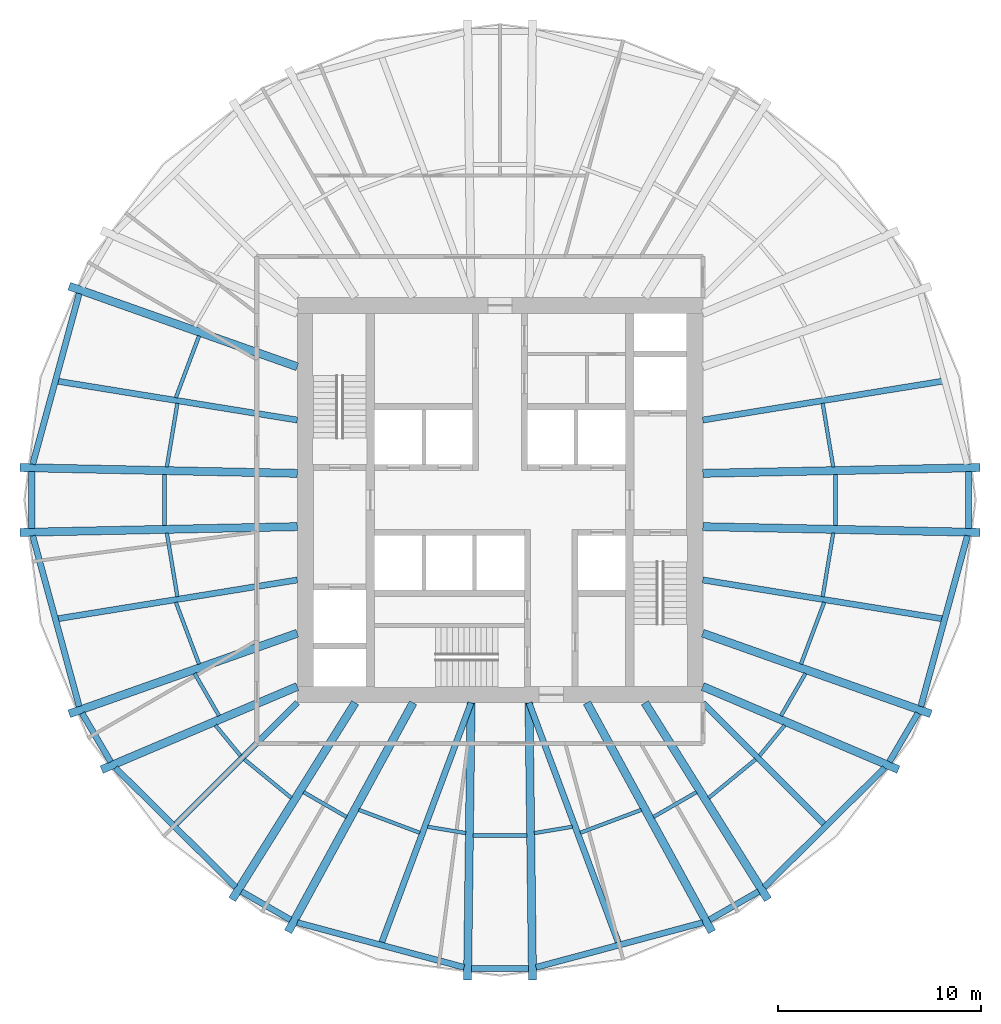
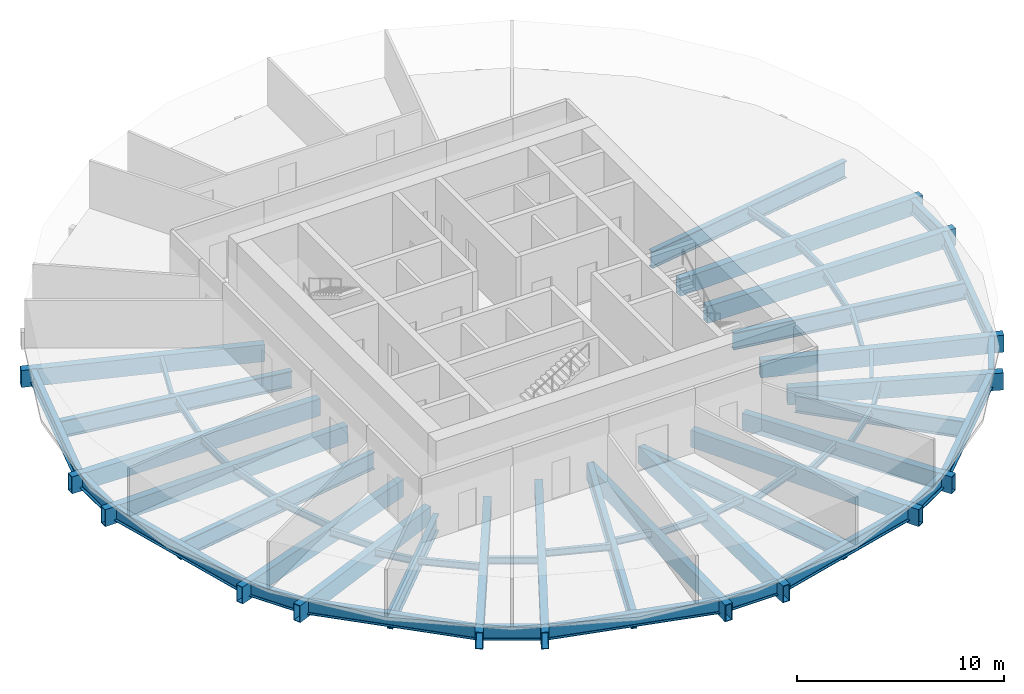
# One storey, part 1 of 6: 59 beams.
"""IFC4 building model written with IfcOpenShell, lengths in metres."""

import ifcopenshell
import ifcopenshell.guid

model = None  # the IFC model being written
_history = None  # IfcOwnerHistory: only IFC2X3 demands one
_inside = {}  # id of a spatial element -> (the spatial element, [elements in it])
_under = {}  # id of a project, library or spatial element -> (it, [spatial elements below it])
_declared = {}  # id of a project -> (the project, [libraries it declares])
_typed = {}  # id of a type object -> (the type object, [elements of that type])
_made_of = {}  # id of a material, layer set ... -> (it, [elements and type objects made of it])


def new_model(schema):
    """Start an empty IFC model of exactly this schema.

    Asked for "IFC4X3", IfcOpenShell would pick the latest addendum, in which some entities
    have other attributes; the version numbers below select the first issue.
    IFC2X3 requires an IfcOwnerHistory on every rooted entity: one is made here for all.
    """
    global model, _history
    if schema == "IFC4X3":
        model = ifcopenshell.file(schema_version=(4, 3, 0, 0))
    else:
        model = ifcopenshell.file(schema=schema)
    _inside.clear()
    _under.clear()
    _declared.clear()
    _typed.clear()
    _made_of.clear()
    _history = None
    if model.schema == "IFC2X3":
        org = make("IfcOrganization", Name="unknown")
        user = make(
            "IfcPersonAndOrganization",
            ThePerson=make("IfcPerson", FamilyName="unknown"),
            TheOrganization=org,
        )
        app = make(
            "IfcApplication",
            ApplicationDeveloper=org,
            Version="unknown",
            ApplicationFullName="unknown",
            ApplicationIdentifier="unknown",
        )
        _history = make(
            "IfcOwnerHistory",
            OwningUser=user,
            OwningApplication=app,
            ChangeAction="ADDED",
            CreationDate=0,
        )
    return model


def make(cls, **values):
    """One entity of the class cls with the attributes given. An attribute that is None is left unset."""
    return model.create_entity(
        cls, **{name: value for name, value in values.items() if value is not None}
    )


def rooted(cls, **values):
    """An entity with a GlobalId (a new one), such as an element, a storey or a relation."""
    return make(cls, GlobalId=ifcopenshell.guid.new(), OwnerHistory=_history, **values)


def si_unit(unit_type, name, prefix=None):
    """IfcSIUnit, for example si_unit("LENGTHUNIT", "METRE", prefix="MILLI")."""
    return make("IfcSIUnit", UnitType=unit_type, Prefix=prefix, Name=name)


def assignment(units):
    """IfcUnitAssignment: the units of a project."""
    return None if units is None else make("IfcUnitAssignment", Units=units)


def point(xyz):
    """IfcCartesianPoint."""
    return None if xyz is None else make("IfcCartesianPoint", Coordinates=xyz)


def direction(xyz):
    """IfcDirection."""
    return None if xyz is None else make("IfcDirection", DirectionRatios=xyz)


def frame(location, z_axis=None, x_axis=None):
    """IfcAxis2Placement3D, a coordinate frame: its origin and axes. An axis left out is left unset."""
    return make(
        "IfcAxis2Placement3D",
        Location=point(location),
        Axis=direction(z_axis),
        RefDirection=direction(x_axis),
    )


def frame_2d(location, x_axis=None):
    """IfcAxis2Placement2D, a coordinate frame in the plane: its origin and x axis."""
    return make(
        "IfcAxis2Placement2D", Location=point(location), RefDirection=direction(x_axis)
    )


def origin():
    """The frame at (0, 0, 0) with its axes left unset."""
    return frame((0.0, 0.0, 0.0))


def origin_2d():
    """The frame at (0, 0) in the plane with its x axis left unset."""
    return frame_2d((0.0, 0.0))


def place(relative_to, where):
    """IfcLocalPlacement: puts the frame where relative to a parent placement (None: the world)."""
    return make(
        "IfcLocalPlacement", PlacementRelTo=relative_to, RelativePlacement=where
    )


def context(
    kind, dimensions, precision=None, world=None, true_north=None, identifier=None
):
    """IfcGeometricRepresentationContext, for example the 3D "Model" context."""
    return make(
        "IfcGeometricRepresentationContext",
        ContextIdentifier=identifier,
        ContextType=kind,
        CoordinateSpaceDimension=dimensions,
        Precision=precision,
        WorldCoordinateSystem=world,
        TrueNorth=true_north,
    )


def subcontext(parent, identifier, kind, view, scale=None):
    """IfcGeometricRepresentationSubContext, for example "Body" below "Model"."""
    return make(
        "IfcGeometricRepresentationSubContext",
        ContextIdentifier=identifier,
        ContextType=kind,
        ParentContext=parent,
        TargetScale=scale,
        TargetView=view,
    )


def project(units=None, contexts=None):
    """IfcProject with its units and contexts."""
    return rooted(
        "IfcProject",
        Name="project",
        RepresentationContexts=contexts,
        UnitsInContext=assignment(units),
    )


def spatial(cls, under=None, at=None, **own):
    """A site, building, storey or space (cls), placed at a placement, below another one or the project."""
    s = rooted(cls, ObjectPlacement=at, **own)
    if under is not None:
        _under.setdefault(under.id(), (under, []))[1].append(s)
    return s


def profile(cls, at=None, kind="AREA", **sizes):
    """A parametric profile (cls). Its sizes go by their IFC names, for example OverallWidth=200.0."""
    return make(cls, ProfileType=kind, Position=at, **sizes)


def hollow_rectangle(**sizes):
    """IfcRectangleHollowProfileDef."""
    return profile("IfcRectangleHollowProfileDef", **sizes)


def i_section(**sizes):
    """IfcIShapeProfileDef."""
    return profile("IfcIShapeProfileDef", **sizes)


def extrude(swept, where, along, depth):
    """IfcExtrudedAreaSolid: the profile swept, set in the frame where, extruded along a direction by depth."""
    return make(
        "IfcExtrudedAreaSolid",
        SweptArea=swept,
        Position=where,
        ExtrudedDirection=direction(along),
        Depth=depth,
    )


def shape(context_of_items, identifier, shape_type, items):
    """IfcShapeRepresentation: the items that make up one representation, for example the "Body"."""
    return make(
        "IfcShapeRepresentation",
        ContextOfItems=context_of_items,
        RepresentationIdentifier=identifier,
        RepresentationType=shape_type,
        Items=items,
    )


def material(Name=None, Category=None):
    """IfcMaterial."""
    return make("IfcMaterial", Name=Name, Category=Category)


def material_profile(
    of_material, cross_section, Name=None, Category=None, Priority=None
):
    """IfcMaterialProfile: a cross section and its material."""
    return make(
        "IfcMaterialProfile",
        Name=Name,
        Material=of_material,
        Profile=cross_section,
        Priority=Priority,
        Category=Category,
    )


def profile_set(profiles, Name=None, composite=None):
    """IfcMaterialProfileSet."""
    return make(
        "IfcMaterialProfileSet",
        Name=Name,
        MaterialProfiles=profiles,
        CompositeProfile=composite,
    )


def made_of(thing, what):
    """Note that an element or type object is made of a material, layer set ...; save() writes the relation."""
    if what is not None:
        _made_of.setdefault(what.id(), (what, []))[1].append(thing)
    return thing


def type_object(cls, material=None, **own):
    """A type object (cls), such as IfcWallType, which elements share."""
    return made_of(rooted(cls, **own), material)


def element(
    cls,
    number,
    at=None,
    inside=None,
    cuts=None,
    type_object=None,
    material=None,
    context=None,
    identifier="Body",
    shape_type=None,
    held_by="IfcProductDefinitionShape",
    body=None,
    shapes=None,
    **own,
):
    """One element of the class cls, such as IfcWall. Its Tag is "e" and its number.

    at: its placement. inside: the storey or other place that contains it. cuts: it is an
    opening in that element (IfcRelVoidsElement). A single representation is given by context,
    identifier, shape_type and body (its items); several are given by shapes. held_by: the class
    of the entity that holds the representations. save() writes the other relations.
    """
    e = rooted(cls, Tag="e%d" % number, ObjectPlacement=at, **own)
    if body is not None:
        shapes = [shape(context, identifier, shape_type, body)]
    if shapes is not None:
        e.Representation = make(held_by, Representations=shapes)
    if inside is not None:
        _inside.setdefault(inside.id(), (inside, []))[1].append(e)
    if cuts is not None:
        rooted(
            "IfcRelVoidsElement", RelatingBuildingElement=cuts, RelatedOpeningElement=e
        )
    if type_object is not None:
        _typed.setdefault(type_object.id(), (type_object, []))[1].append(e)
    return made_of(e, material)


def aggregate(whole, parts):
    """IfcRelAggregates: a whole, such as a stair, and the parts it consists of."""
    return rooted("IfcRelAggregates", RelatingObject=whole, RelatedObjects=parts)


def save(model, path):
    """Write the relations noted so far, then the file.

    IfcRelAggregates (storeys below a building ...), IfcRelContainedInSpatialStructure (elements
    in a storey), IfcRelDefinesByType, IfcRelAssociatesMaterial and IfcRelDeclares: one each for
    every whole, place, type object, material and project.
    """
    for whole, parts in _under.values():
        aggregate(whole, parts)
    for where, things in _inside.values():
        rooted(
            "IfcRelContainedInSpatialStructure",
            RelatedElements=things,
            RelatingStructure=where,
        )
    for kind, things in _typed.values():
        rooted("IfcRelDefinesByType", RelatedObjects=things, RelatingType=kind)
    for what, things in _made_of.values():
        rooted("IfcRelAssociatesMaterial", RelatedObjects=things, RelatingMaterial=what)
    for by, libraries in _declared.values():
        rooted("IfcRelDeclares", RelatingContext=by, RelatedDefinitions=libraries)
    model.write(path)


model = new_model("IFC4")

# Units and contexts
model_context = context("Model", 3, precision=1e-05, world=origin(), true_north=direction((0.0, 1.0)))
body_context = subcontext(model_context, "Body", "Model", "MODEL_VIEW")
ifc_project = project(units=[si_unit("LENGTHUNIT", "METRE"), si_unit("AREAUNIT", "SQUARE_METRE"), si_unit("VOLUMEUNIT", "CUBIC_METRE"), si_unit("PLANEANGLEUNIT", "RADIAN"), si_unit("MASSUNIT", "GRAM", prefix="KILO")], contexts=[model_context])

# Site, building, storey
site_placement = place(None, origin())
site = spatial("IfcSite", under=ifc_project, at=site_placement, CompositionType="ELEMENT")
building_placement = place(site_placement, origin())
building = spatial("IfcBuilding", under=site, at=building_placement, Name="Golbaran Civic Tower", CompositionType="ELEMENT")
storey_placement = place(building_placement, frame((0.0, 0.0, 57.0)))
storey = spatial("IfcBuildingStorey", under=building, at=storey_placement, Name="L13", CompositionType="ELEMENT", Elevation=57.0)

# Beams
ifc_material = material(Name="Steel S355", Category="steel")
ifc_material_profile_1 = material_profile(ifc_material, i_section(OverallWidth=0.300048828125, OverallDepth=0.800048828125, WebThickness=0.017578125, FlangeThickness=0.032958984375, FilletRadius=0.030029296875, at=origin_2d()), Name="HEB 800")
ifc_profile_set_1 = profile_set([ifc_material_profile_1], Name="Steel S355")
beam_type_1 = type_object("IfcBeamType", Name="EDGE BEAM HEB 800", PredefinedType="BEAM", material=ifc_profile_set_1)
beam_1_placement = place(storey_placement, frame((-20.755615234375, 10.181884765625, -0.60009765625), z_axis=(-0.262977706755, -0.964801910109, 0.0), x_axis=(0.964801910109, -0.262977706755, 0.0)))
element("IfcBeam", 1, at=beam_1_placement, inside=storey, type_object=beam_type_1, Name="Edge beam 153.79 L13", PredefinedType="BEAM", context=body_context, shape_type="SweptSolid", body=[
    extrude(i_section(OverallWidth=0.300048828125, OverallDepth=0.800048828125, WebThickness=0.017578125, FlangeThickness=0.032958984375, FilletRadius=0.030029296875, at=origin_2d()), origin(), (0.0, 0.0, 1.0), 8.724853515625),
])
beam_2_placement = place(storey_placement, frame((-23.098876953125, 1.4052734375, -0.60009765625), z_axis=(0.0, -1.0, 0.0), x_axis=(1.0, 0.0, 0.0)))
element("IfcBeam", 2, at=beam_2_placement, inside=storey, type_object=beam_type_1, Name="Edge beam 176.21 L13", PredefinedType="BEAM", context=body_context, shape_type="SweptSolid", body=[
    extrude(i_section(OverallWidth=0.300048828125, OverallDepth=0.800048828125, WebThickness=0.017578125, FlangeThickness=0.032958984375, FilletRadius=0.030029296875, at=origin_2d()), origin(), (0.0, 0.0, 1.0), 2.810546875),
])
beam_3_placement = place(storey_placement, frame((-23.050048828125, -1.76416015625, -0.60009765625), z_axis=(0.262977706755, -0.964801910109, 0.0), x_axis=(0.964801910109, 0.262977706755, 0.0)))
element("IfcBeam", 3, at=beam_3_placement, inside=storey, type_object=beam_type_1, Name="Edge beam 183.79 L13", PredefinedType="BEAM", context=body_context, shape_type="SweptSolid", body=[
    extrude(i_section(OverallWidth=0.300048828125, OverallDepth=0.800048828125, WebThickness=0.017578125, FlangeThickness=0.032958984375, FilletRadius=0.030029296875, at=origin_2d()), origin(), (0.0, 0.0, 1.0), 8.724853515625),
])
beam_4_placement = place(storey_placement, frame((-20.614990234375, -10.51416015625, -0.60009765625), z_axis=(0.507031629301, -0.861927448738, 0.0), x_axis=(0.861927448738, 0.507031629301, 0.0)))
element("IfcBeam", 4, at=beam_4_placement, inside=storey, type_object=beam_type_1, Name="Edge beam 206.21 L13", PredefinedType="BEAM", context=body_context, shape_type="SweptSolid", body=[
    extrude(i_section(OverallWidth=0.300048828125, OverallDepth=0.800048828125, WebThickness=0.017578125, FlangeThickness=0.032958984375, FilletRadius=0.030029296875, at=origin_2d()), origin(), (0.0, 0.0, 1.0), 2.78271484375),
])
beam_5_placement = place(storey_placement, frame((-18.973876953125, -13.2060546875, -0.60009765625), z_axis=(0.710079737992, -0.704121272007, 0.0), x_axis=(0.704121272007, 0.710079737992, 0.0)))
element("IfcBeam", 5, at=beam_5_placement, inside=storey, type_object=beam_type_1, Name="Edge beam 213.79 L13", PredefinedType="BEAM", context=body_context, shape_type="SweptSolid", body=[
    extrude(i_section(OverallWidth=0.300048828125, OverallDepth=0.800048828125, WebThickness=0.017578125, FlangeThickness=0.032958984375, FilletRadius=0.030029296875, at=origin_2d()), origin(), (0.0, 0.0, 1.0), 8.358642578125),
])
beam_6_placement = place(storey_placement, frame((-12.751708984375, -19.3115234375, -0.60009765625), z_axis=(0.866210360515, -0.499679508622, 0.0), x_axis=(0.499679508622, 0.866210360515, 0.0)))
element("IfcBeam", 6, at=beam_6_placement, inside=storey, type_object=beam_type_1, Name="Edge beam 236.21 L13", PredefinedType="BEAM", context=body_context, shape_type="SweptSolid", body=[
    extrude(i_section(OverallWidth=0.300048828125, OverallDepth=0.800048828125, WebThickness=0.017578125, FlangeThickness=0.032958984375, FilletRadius=0.030029296875, at=origin_2d()), origin(), (0.0, 0.0, 1.0), 2.788818359375),
])
beam_7_placement = place(storey_placement, frame((-10.001220703125, -20.84326171875, -0.60009765625), z_axis=(0.965854734036, -0.259084219395, 0.0), x_axis=(0.259084219395, 0.965854734036, 0.0)))
element("IfcBeam", 7, at=beam_7_placement, inside=storey, type_object=beam_type_1, Name="Edge beam 243.79 L13", PredefinedType="BEAM", context=body_context, shape_type="SweptSolid", body=[
    extrude(i_section(OverallWidth=0.300048828125, OverallDepth=0.800048828125, WebThickness=0.017578125, FlangeThickness=0.032958984375, FilletRadius=0.030029296875, at=origin_2d()), origin(), (0.0, 0.0, 1.0), 8.517578125),
])
beam_8_placement = place(storey_placement, frame((-1.4150390625, -23.09814453125, -0.60009765625), z_axis=(1.0, 0.0, 0.0), x_axis=(0.0, 1.0, 0.0)))
element("IfcBeam", 8, at=beam_8_placement, inside=storey, type_object=beam_type_1, Name="Edge beam 266.21 L13", PredefinedType="BEAM", context=body_context, shape_type="SweptSolid", body=[
    extrude(i_section(OverallWidth=0.300048828125, OverallDepth=0.800048828125, WebThickness=0.017578125, FlangeThickness=0.032958984375, FilletRadius=0.030029296875, at=origin_2d()), origin(), (0.0, 0.0, 1.0), 2.830078125),
])
beam_9_placement = place(storey_placement, frame((1.7744140625, -23.050048828125, -0.60009765625), z_axis=(0.965854734036, 0.259084219395, 0.0), x_axis=(-0.259084219395, 0.965854734036, 0.0)))
element("IfcBeam", 9, at=beam_9_placement, inside=storey, type_object=beam_type_1, Name="Edge beam 273.79 L13", PredefinedType="BEAM", context=body_context, shape_type="SweptSolid", body=[
    extrude(i_section(OverallWidth=0.300048828125, OverallDepth=0.800048828125, WebThickness=0.017578125, FlangeThickness=0.032958984375, FilletRadius=0.030029296875, at=origin_2d()), origin(), (0.0, 0.0, 1.0), 8.517578125),
])
beam_10_placement = place(storey_placement, frame((10.3359375, -20.705078125, -0.60009765625), z_axis=(0.866210360515, 0.499679508622, 0.0), x_axis=(-0.499679508622, 0.866210360515, 0.0)))
element("IfcBeam", 10, at=beam_10_placement, inside=storey, type_object=beam_type_1, Name="Edge beam 296.21 L13", PredefinedType="BEAM", context=body_context, shape_type="SweptSolid", body=[
    extrude(i_section(OverallWidth=0.300048828125, OverallDepth=0.800048828125, WebThickness=0.017578125, FlangeThickness=0.032958984375, FilletRadius=0.030029296875, at=origin_2d()), origin(), (0.0, 0.0, 1.0), 2.788818359375),
])
beam_11_placement = place(storey_placement, frame((13.03857421875, -19.091552734375, -0.60009765625), z_axis=(0.710079737992, 0.704121272007, 0.0), x_axis=(-0.704121272007, 0.710079737992, 0.0)))
element("IfcBeam", 11, at=beam_11_placement, inside=storey, type_object=beam_type_1, Name="Edge beam 303.79 L13", PredefinedType="BEAM", context=body_context, shape_type="SweptSolid", body=[
    extrude(i_section(OverallWidth=0.300048828125, OverallDepth=0.800048828125, WebThickness=0.017578125, FlangeThickness=0.032958984375, FilletRadius=0.030029296875, at=origin_2d()), origin(), (0.0, 0.0, 1.0), 8.358642578125),
])
beam_12_placement = place(storey_placement, frame((19.2041015625, -12.91259765625, -0.60009765625), z_axis=(0.507031629301, 0.861927448738, 0.0), x_axis=(-0.861927448738, 0.507031629301, 0.0)))
element("IfcBeam", 12, at=beam_12_placement, inside=storey, type_object=beam_type_1, Name="Edge beam 326.21 L13", PredefinedType="BEAM", context=body_context, shape_type="SweptSolid", body=[
    extrude(i_section(OverallWidth=0.300048828125, OverallDepth=0.800048828125, WebThickness=0.017578125, FlangeThickness=0.032958984375, FilletRadius=0.030029296875, at=origin_2d()), origin(), (0.0, 0.0, 1.0), 2.78271484375),
])
beam_13_placement = place(storey_placement, frame((20.755615234375, -10.181884765625, -0.60009765625), z_axis=(0.262977706755, 0.964801910109, 0.0), x_axis=(-0.964801910109, 0.262977706755, 0.0)))
element("IfcBeam", 13, at=beam_13_placement, inside=storey, type_object=beam_type_1, Name="Edge beam 333.79 L13", PredefinedType="BEAM", context=body_context, shape_type="SweptSolid", body=[
    extrude(i_section(OverallWidth=0.300048828125, OverallDepth=0.800048828125, WebThickness=0.017578125, FlangeThickness=0.032958984375, FilletRadius=0.030029296875, at=origin_2d()), origin(), (0.0, 0.0, 1.0), 8.724853515625),
])
beam_14_placement = place(storey_placement, frame((23.098876953125, -1.4052734375, -0.60009765625), z_axis=(0.0, 1.0, 0.0), x_axis=(-1.0, 0.0, 0.0)))
element("IfcBeam", 14, at=beam_14_placement, inside=storey, type_object=beam_type_1, Name="Edge beam 356.21 L13", PredefinedType="BEAM", context=body_context, shape_type="SweptSolid", body=[
    extrude(i_section(OverallWidth=0.300048828125, OverallDepth=0.800048828125, WebThickness=0.017578125, FlangeThickness=0.032958984375, FilletRadius=0.030029296875, at=origin_2d()), origin(), (0.0, 0.0, 1.0), 2.810546875),
])
ifc_material_profile_2 = material_profile(ifc_material, i_section(OverallWidth=0.179931640625, OverallDepth=0.39990234375, WebThickness=0.008544921875, FlangeThickness=0.013427734375, FilletRadius=0.02099609375, at=origin_2d()), Name="IPE 400")
ifc_profile_set_2 = profile_set([ifc_material_profile_2], Name="Steel S355")
beam_type_2 = type_object("IfcBeamType", Name="FLOOR INFILL BEAM IPE 400", PredefinedType="BEAM", material=ifc_profile_set_2)
beam_15_placement = place(storey_placement, frame((16.43359375, 1.62744140625, -0.39990234375), z_axis=(-0.163205483992, 0.986592099094, 0.0), x_axis=(-0.986592099094, -0.163205483992, 0.0)))
element("IfcBeam", 15, at=beam_15_placement, inside=storey, type_object=beam_type_2, Name="Infill beam 9.39 L13", PredefinedType="BEAM", context=body_context, shape_type="SweptSolid", body=[
    extrude(i_section(OverallWidth=0.179931640625, OverallDepth=0.39990234375, WebThickness=0.008544921875, FlangeThickness=0.013427734375, FilletRadius=0.02099609375, at=origin_2d()), origin(), (0.0, 0.0, 1.0), 3.184814453125),
])
beam_16_placement = place(storey_placement, frame((-14.844482421875, 8.0927734375, -0.39990234375), z_axis=(-0.351903983924, -0.936036102989, 0.0), x_axis=(0.936036102989, -0.351903983924, 0.0)))
element("IfcBeam", 16, at=beam_16_placement, inside=storey, type_object=beam_type_2, Name="Infill beam 159.39 L13", PredefinedType="BEAM", context=body_context, shape_type="SweptSolid", body=[
    extrude(i_section(OverallWidth=0.179931640625, OverallDepth=0.39990234375, WebThickness=0.008544921875, FlangeThickness=0.013427734375, FilletRadius=0.02099609375, at=origin_2d()), origin(), (0.0, 0.0, 1.0), 3.255859375),
])
beam_17_placement = place(storey_placement, frame((-15.913818359375, 4.76953125, -0.39990234375), z_axis=(-0.163205483992, -0.986592099094, 0.0), x_axis=(0.986592099094, -0.163205483992, 0.0)))
element("IfcBeam", 17, at=beam_17_placement, inside=storey, type_object=beam_type_2, Name="Infill beam 170.61 L13", PredefinedType="BEAM", context=body_context, shape_type="SweptSolid", body=[
    extrude(i_section(OverallWidth=0.179931640625, OverallDepth=0.39990234375, WebThickness=0.008544921875, FlangeThickness=0.013427734375, FilletRadius=0.02099609375, at=origin_2d()), origin(), (0.0, 0.0, 1.0), 3.184814453125),
])
beam_18_placement = place(storey_placement, frame((-16.549560546875, 1.269775390625, -0.39990234375), z_axis=(0.0, -1.0, 0.0), x_axis=(1.0, 0.0, 0.0)))
element("IfcBeam", 18, at=beam_18_placement, inside=storey, type_object=beam_type_2, Name="Infill beam 180.00 L13", PredefinedType="BEAM", context=body_context, shape_type="SweptSolid", body=[
    extrude(i_section(OverallWidth=0.179931640625, OverallDepth=0.39990234375, WebThickness=0.008544921875, FlangeThickness=0.013427734375, FilletRadius=0.02099609375, at=origin_2d()), origin(), (0.0, 0.0, 1.0), 2.53955078125),
])
beam_19_placement = place(storey_placement, frame((-16.43359375, -1.62744140625, -0.39990234375), z_axis=(0.163205483992, -0.986592099094, 0.0), x_axis=(0.986592099094, 0.163205483992, 0.0)))
element("IfcBeam", 19, at=beam_19_placement, inside=storey, type_object=beam_type_2, Name="Infill beam 189.39 L13", PredefinedType="BEAM", context=body_context, shape_type="SweptSolid", body=[
    extrude(i_section(OverallWidth=0.179931640625, OverallDepth=0.39990234375, WebThickness=0.008544921875, FlangeThickness=0.013427734375, FilletRadius=0.02099609375, at=origin_2d()), origin(), (0.0, 0.0, 1.0), 3.184814453125),
])
beam_20_placement = place(storey_placement, frame((-15.990234375, -5.045166015625, -0.39990234375), z_axis=(0.351903983924, -0.936036102989, 0.0), x_axis=(0.936036102989, 0.351903983924, 0.0)))
element("IfcBeam", 20, at=beam_20_placement, inside=storey, type_object=beam_type_2, Name="Infill beam 200.61 L13", PredefinedType="BEAM", context=body_context, shape_type="SweptSolid", body=[
    extrude(i_section(OverallWidth=0.179931640625, OverallDepth=0.39990234375, WebThickness=0.008544921875, FlangeThickness=0.013427734375, FilletRadius=0.02099609375, at=origin_2d()), origin(), (0.0, 0.0, 1.0), 3.255859375),
])
beam_21_placement = place(storey_placement, frame((-15.065673828125, -8.552734375, -0.39990234375), z_axis=(0.499979289244, -0.866037360815, 0.0), x_axis=(0.866037360815, 0.499979289244, 0.0)))
element("IfcBeam", 21, at=beam_21_placement, inside=storey, type_object=beam_type_2, Name="Infill beam 210.00 L13", PredefinedType="BEAM", context=body_context, shape_type="SweptSolid", body=[
    extrude(i_section(OverallWidth=0.179931640625, OverallDepth=0.39990234375, WebThickness=0.008544921875, FlangeThickness=0.013427734375, FilletRadius=0.02099609375, at=origin_2d()), origin(), (0.0, 0.0, 1.0), 2.41357421875),
])
beam_22_placement = place(storey_placement, frame((-14.03662109375, -11.109619140625, -0.39990234375), z_axis=(0.634710038932, -0.772750390798, 0.0), x_axis=(0.772750390798, 0.634710038932, 0.0)))
element("IfcBeam", 22, at=beam_22_placement, inside=storey, type_object=beam_type_2, Name="Infill beam 219.39 L13", PredefinedType="BEAM", context=body_context, shape_type="SweptSolid", body=[
    extrude(i_section(OverallWidth=0.179931640625, OverallDepth=0.39990234375, WebThickness=0.008544921875, FlangeThickness=0.013427734375, FilletRadius=0.02099609375, at=origin_2d()), origin(), (0.0, 0.0, 1.0), 1.948974609375),
])
beam_23_placement = place(storey_placement, frame((-12.609130859375, -12.79296875, -0.39990234375), z_axis=(0.772824623288, -0.634619651161, 0.0), x_axis=(0.634619651161, 0.772824623288, 0.0)))
element("IfcBeam", 23, at=beam_23_placement, inside=storey, type_object=beam_type_2, Name="Infill beam 230.61 L13", PredefinedType="BEAM", context=body_context, shape_type="SweptSolid", body=[
    extrude(i_section(OverallWidth=0.179931640625, OverallDepth=0.39990234375, WebThickness=0.008544921875, FlangeThickness=0.013427734375, FilletRadius=0.02099609375, at=origin_2d()), origin(), (0.0, 0.0, 1.0), 2.99951171875),
])
beam_24_placement = place(storey_placement, frame((-9.6875, -14.41015625, -0.39990234375), z_axis=(0.866037799547, -0.499978529295, 0.0), x_axis=(0.499978529295, 0.866037799547, 0.0)))
element("IfcBeam", 24, at=beam_24_placement, inside=storey, type_object=beam_type_2, Name="Infill beam 240.00 L13", PredefinedType="BEAM", context=body_context, shape_type="SweptSolid", body=[
    extrude(i_section(OverallWidth=0.179931640625, OverallDepth=0.39990234375, WebThickness=0.008544921875, FlangeThickness=0.013427734375, FilletRadius=0.02099609375, at=origin_2d()), origin(), (0.0, 0.0, 1.0), 2.4482421875),
])
beam_25_placement = place(storey_placement, frame((-6.965576171875, -15.28369140625, -0.39990234375), z_axis=(0.936029093935, -0.351922626876, 0.0), x_axis=(0.351922626876, 0.936029093935, 0.0)))
element("IfcBeam", 25, at=beam_25_placement, inside=storey, type_object=beam_type_2, Name="Infill beam 249.39 L13", PredefinedType="BEAM", context=body_context, shape_type="SweptSolid", body=[
    extrude(i_section(OverallWidth=0.179931640625, OverallDepth=0.39990234375, WebThickness=0.008544921875, FlangeThickness=0.013427734375, FilletRadius=0.02099609375, at=origin_2d()), origin(), (0.0, 0.0, 1.0), 3.21337890625),
])
beam_26_placement = place(storey_placement, frame((-3.569580078125, -16.11767578125, -0.39990234375), z_axis=(0.986580330605, -0.163276609664, 0.0), x_axis=(0.163276609664, 0.986580330605, 0.0)))
element("IfcBeam", 26, at=beam_26_placement, inside=storey, type_object=beam_type_2, Name="Infill beam 260.61 L13", PredefinedType="BEAM", context=body_context, shape_type="SweptSolid", body=[
    extrude(i_section(OverallWidth=0.179931640625, OverallDepth=0.39990234375, WebThickness=0.008544921875, FlangeThickness=0.013427734375, FilletRadius=0.02099609375, at=origin_2d()), origin(), (0.0, 0.0, 1.0), 1.905029296875),
])
beam_27_placement = place(storey_placement, frame((-1.331787109375, -16.549072265625, -0.39990234375), z_axis=(1.0, 0.0, 0.0), x_axis=(0.0, 1.0, 0.0)))
element("IfcBeam", 27, at=beam_27_placement, inside=storey, type_object=beam_type_2, Name="Infill beam 270.00 L13", PredefinedType="BEAM", context=body_context, shape_type="SweptSolid", body=[
    extrude(i_section(OverallWidth=0.179931640625, OverallDepth=0.39990234375, WebThickness=0.008544921875, FlangeThickness=0.013427734375, FilletRadius=0.02099609375, at=origin_2d()), origin(), (0.0, 0.0, 1.0), 2.66357421875),
])
beam_28_placement = place(storey_placement, frame((1.690185546875, -16.4287109375, -0.39990234375), z_axis=(0.986580330605, 0.163276609664, 0.0), x_axis=(-0.163276609664, 0.986580330605, 0.0)))
element("IfcBeam", 28, at=beam_28_placement, inside=storey, type_object=beam_type_2, Name="Infill beam 279.39 L13", PredefinedType="BEAM", context=body_context, shape_type="SweptSolid", body=[
    extrude(i_section(OverallWidth=0.179931640625, OverallDepth=0.39990234375, WebThickness=0.008544921875, FlangeThickness=0.013427734375, FilletRadius=0.02099609375, at=origin_2d()), origin(), (0.0, 0.0, 1.0), 1.905029296875),
])
beam_29_placement = place(storey_placement, frame((3.957763671875, -16.41455078125, -0.39990234375), z_axis=(0.936029093935, 0.351922626876, 0.0), x_axis=(-0.351922626876, 0.936029093935, 0.0)))
element("IfcBeam", 29, at=beam_29_placement, inside=storey, type_object=beam_type_2, Name="Infill beam 290.61 L13", PredefinedType="BEAM", context=body_context, shape_type="SweptSolid", body=[
    extrude(i_section(OverallWidth=0.179931640625, OverallDepth=0.39990234375, WebThickness=0.008544921875, FlangeThickness=0.013427734375, FilletRadius=0.02099609375, at=origin_2d()), origin(), (0.0, 0.0, 1.0), 3.21337890625),
])
beam_30_placement = place(storey_placement, frame((7.567138671875, -15.63427734375, -0.39990234375), z_axis=(0.866037799547, 0.499978529295, 0.0), x_axis=(-0.499978529295, 0.866037799547, 0.0)))
element("IfcBeam", 30, at=beam_30_placement, inside=storey, type_object=beam_type_2, Name="Infill beam 300.00 L13", PredefinedType="BEAM", context=body_context, shape_type="SweptSolid", body=[
    extrude(i_section(OverallWidth=0.179931640625, OverallDepth=0.39990234375, WebThickness=0.008544921875, FlangeThickness=0.013427734375, FilletRadius=0.02099609375, at=origin_2d()), origin(), (0.0, 0.0, 1.0), 2.4482421875),
])
beam_31_placement = place(storey_placement, frame((10.291015625, -14.696533203125, -0.39990234375), z_axis=(0.772824623288, 0.634619651161, 0.0), x_axis=(-0.634619651161, 0.772824623288, 0.0)))
element("IfcBeam", 31, at=beam_31_placement, inside=storey, type_object=beam_type_2, Name="Infill beam 309.39 L13", PredefinedType="BEAM", context=body_context, shape_type="SweptSolid", body=[
    extrude(i_section(OverallWidth=0.179931640625, OverallDepth=0.39990234375, WebThickness=0.008544921875, FlangeThickness=0.013427734375, FilletRadius=0.02099609375, at=origin_2d()), origin(), (0.0, 0.0, 1.0), 2.99951171875),
])
beam_32_placement = place(storey_placement, frame((12.799560546875, -12.61572265625, -0.39990234375), z_axis=(0.634710038932, 0.772750390798, 0.0), x_axis=(-0.772750390798, 0.634710038932, 0.0)))
element("IfcBeam", 32, at=beam_32_placement, inside=storey, type_object=beam_type_2, Name="Infill beam 320.61 L13", PredefinedType="BEAM", context=body_context, shape_type="SweptSolid", body=[
    extrude(i_section(OverallWidth=0.179931640625, OverallDepth=0.39990234375, WebThickness=0.008544921875, FlangeThickness=0.013427734375, FilletRadius=0.02099609375, at=origin_2d()), origin(), (0.0, 0.0, 1.0), 1.948974609375),
])
beam_33_placement = place(storey_placement, frame((13.85888671875, -10.64306640625, -0.39990234375), z_axis=(0.499979289244, 0.866037360815, 0.0), x_axis=(-0.866037360815, 0.499979289244, 0.0)))
element("IfcBeam", 33, at=beam_33_placement, inside=storey, type_object=beam_type_2, Name="Infill beam 330.00 L13", PredefinedType="BEAM", context=body_context, shape_type="SweptSolid", body=[
    extrude(i_section(OverallWidth=0.179931640625, OverallDepth=0.39990234375, WebThickness=0.008544921875, FlangeThickness=0.013427734375, FilletRadius=0.02099609375, at=origin_2d()), origin(), (0.0, 0.0, 1.0), 2.41357421875),
])
beam_34_placement = place(storey_placement, frame((14.844482421875, -8.0927734375, -0.39990234375), z_axis=(0.351903983924, 0.936036102989, 0.0), x_axis=(-0.936036102989, 0.351903983924, 0.0)))
element("IfcBeam", 34, at=beam_34_placement, inside=storey, type_object=beam_type_2, Name="Infill beam 339.39 L13", PredefinedType="BEAM", context=body_context, shape_type="SweptSolid", body=[
    extrude(i_section(OverallWidth=0.179931640625, OverallDepth=0.39990234375, WebThickness=0.008544921875, FlangeThickness=0.013427734375, FilletRadius=0.02099609375, at=origin_2d()), origin(), (0.0, 0.0, 1.0), 3.255859375),
])
beam_35_placement = place(storey_placement, frame((15.913818359375, -4.76953125, -0.39990234375), z_axis=(0.163205483992, 0.986592099094, 0.0), x_axis=(-0.986592099094, 0.163205483992, 0.0)))
element("IfcBeam", 35, at=beam_35_placement, inside=storey, type_object=beam_type_2, Name="Infill beam 350.61 L13", PredefinedType="BEAM", context=body_context, shape_type="SweptSolid", body=[
    extrude(i_section(OverallWidth=0.179931640625, OverallDepth=0.39990234375, WebThickness=0.008544921875, FlangeThickness=0.013427734375, FilletRadius=0.02099609375, at=origin_2d()), origin(), (0.0, 0.0, 1.0), 3.184814453125),
])
beam_36_placement = place(storey_placement, frame((16.549560546875, -1.269775390625, -0.39990234375), z_axis=(0.0, 1.0, 0.0), x_axis=(-1.0, 0.0, 0.0)))
element("IfcBeam", 36, at=beam_36_placement, inside=storey, type_object=beam_type_2, Name="Infill beam 0.00 L13", PredefinedType="BEAM", context=body_context, shape_type="SweptSolid", body=[
    extrude(i_section(OverallWidth=0.179931640625, OverallDepth=0.39990234375, WebThickness=0.008544921875, FlangeThickness=0.013427734375, FilletRadius=0.02099609375, at=origin_2d()), origin(), (0.0, 0.0, 1.0), 2.53955078125),
])
ifc_material_profile_3 = material_profile(ifc_material, hollow_rectangle(XDim=0.39990234375, YDim=1.0, WallThickness=0.0400390625, at=origin_2d()), Name="BOX 1000x400x40")
ifc_profile_set_3 = profile_set([ifc_material_profile_3], Name="Steel S355")
beam_type_3 = type_object("IfcBeamType", Name="RADIAL FLOOR BEAM BOX 1000x400x40", PredefinedType="BEAM", material=ifc_profile_set_3)
beam_37_placement = place(storey_placement, frame((10.0, 1.314208984375, -0.7099609375), z_axis=(0.999785912989, 0.020691258761, 0.0), x_axis=(-0.020691258761, 0.999785912989, 0.0)))
element("IfcBeam", 37, at=beam_37_placement, inside=storey, type_object=beam_type_3, Name="Radial beam 3.79 L13", PredefinedType="BEAM", context=body_context, shape_type="SweptSolid", body=[
    extrude(hollow_rectangle(XDim=0.39990234375, YDim=1.0, WallThickness=0.0400390625, at=origin_2d()), origin(), (0.0, 0.0, 1.0), 13.67529296875),
])
beam_38_placement = place(storey_placement, frame((-10.0, 6.571533203125, -0.7099609375), z_axis=(-0.942842566298, 0.333238495941, 0.0), x_axis=(-0.333238495941, -0.942842566298, 0.0)))
element("IfcBeam", 38, at=beam_38_placement, inside=storey, type_object=beam_type_3, Name="Radial beam 153.79 L13", PredefinedType="BEAM", context=body_context, shape_type="SweptSolid", body=[
    extrude(hollow_rectangle(XDim=0.39990234375, YDim=1.0, WallThickness=0.0400390625, at=origin_2d()), origin(), (0.0, 0.0, 1.0), 11.933837890625),
])
for number, where, z_axis, x_axis, name in (
    (39, (-10.0, 1.314208984375, -0.7099609375), (-0.999785912989, 0.020691258761, 0.0), (-0.020691258761, -0.999785912989, 0.0), "Radial beam 176.21 L13"),
    (40, (-10.0, -1.314208984375, -0.7099609375), (-0.999785912989, -0.020691258761, 0.0), (0.020691258761, -0.999785912989, 0.0), "Radial beam 183.79 L13"),
):
    element("IfcBeam", number, at=place(storey_placement, frame(where, z_axis=z_axis, x_axis=x_axis)), inside=storey, type_object=beam_type_3, Name=name, PredefinedType="BEAM", context=body_context, shape_type="SweptSolid", body=[
        extrude(hollow_rectangle(XDim=0.39990234375, YDim=1.0, WallThickness=0.0400390625, at=origin_2d()), origin(), (0.0, 0.0, 1.0), 13.67529296875),
    ])
beam_39_placement = place(storey_placement, frame((-10.0, -6.571533203125, -0.7099609375), z_axis=(-0.942842566298, -0.333238495941, 0.0), x_axis=(0.333238495941, -0.942842566298, 0.0)))
element("IfcBeam", 41, at=beam_39_placement, inside=storey, type_object=beam_type_3, Name="Radial beam 206.21 L13", PredefinedType="BEAM", context=body_context, shape_type="SweptSolid", body=[
    extrude(hollow_rectangle(XDim=0.39990234375, YDim=1.0, WallThickness=0.0400390625, at=origin_2d()), origin(), (0.0, 0.0, 1.0), 11.933837890625),
])
beam_40_placement = place(storey_placement, frame((-10.0, -9.199951171875, -0.7099609375), z_axis=(-0.920455139767, -0.390848225884, 0.0), x_axis=(0.390848225884, -0.920455139767, 0.0)))
element("IfcBeam", 42, at=beam_40_placement, inside=storey, type_object=beam_type_3, Name="Radial beam 213.79 L13", PredefinedType="BEAM", context=body_context, shape_type="SweptSolid", body=[
    extrude(hollow_rectangle(XDim=0.39990234375, YDim=1.0, WallThickness=0.0400390625, at=origin_2d()), origin(), (0.0, 0.0, 1.0), 10.484619140625),
])
beam_41_placement = place(storey_placement, frame((-7.142822265625, -10.0, -0.7099609375), z_axis=(-0.530087114347, -0.847943188665, 0.0), x_axis=(0.847943188665, -0.530087114347, 0.0)))
element("IfcBeam", 43, at=beam_41_placement, inside=storey, type_object=beam_type_3, Name="Radial beam 236.21 L13", PredefinedType="BEAM", context=body_context, shape_type="SweptSolid", body=[
    extrude(hollow_rectangle(XDim=0.39990234375, YDim=1.0, WallThickness=0.0400390625, at=origin_2d()), origin(), (0.0, 0.0, 1.0), 11.4482421875),
])
beam_42_placement = place(storey_placement, frame((-4.28564453125, -10.0, -0.7099609375), z_axis=(-0.479230785466, -0.877688927959, 0.0), x_axis=(0.877688927959, -0.479230785466, 0.0)))
element("IfcBeam", 44, at=beam_42_placement, inside=storey, type_object=beam_type_3, Name="Radial beam 243.79 L13", PredefinedType="BEAM", context=body_context, shape_type="SweptSolid", body=[
    extrude(hollow_rectangle(XDim=0.39990234375, YDim=1.0, WallThickness=0.0400390625, at=origin_2d()), origin(), (0.0, 0.0, 1.0), 12.873046875),
])
for number, where, z_axis, x_axis, name in (
    (45, (-1.428466796875, -10.0, -0.7099609375), (-0.012713031206, -0.999919186153, 0.0), (0.999919186153, -0.012713031206, 0.0), "Radial beam 266.21 L13"),
    (46, (1.428466796875, -10.0, -0.7099609375), (0.012713031206, -0.999919186153, 0.0), (0.999919186153, 0.012713031206, 0.0), "Radial beam 273.79 L13"),
):
    element("IfcBeam", number, at=place(storey_placement, frame(where, z_axis=z_axis, x_axis=x_axis)), inside=storey, type_object=beam_type_3, Name=name, PredefinedType="BEAM", context=body_context, shape_type="SweptSolid", body=[
        extrude(hollow_rectangle(XDim=0.39990234375, YDim=1.0, WallThickness=0.0400390625, at=origin_2d()), origin(), (0.0, 0.0, 1.0), 13.67333984375),
    ])
beam_43_placement = place(storey_placement, frame((4.28564453125, -10.0, -0.7099609375), z_axis=(0.479230785466, -0.877688927959, 0.0), x_axis=(0.877688927959, 0.479230785466, 0.0)))
element("IfcBeam", 47, at=beam_43_placement, inside=storey, type_object=beam_type_3, Name="Radial beam 296.21 L13", PredefinedType="BEAM", context=body_context, shape_type="SweptSolid", body=[
    extrude(hollow_rectangle(XDim=0.39990234375, YDim=1.0, WallThickness=0.0400390625, at=origin_2d()), origin(), (0.0, 0.0, 1.0), 12.873046875),
])
beam_44_placement = place(storey_placement, frame((7.142822265625, -10.0, -0.7099609375), z_axis=(0.530087114347, -0.847943188665, 0.0), x_axis=(0.847943188665, 0.530087114347, 0.0)))
element("IfcBeam", 48, at=beam_44_placement, inside=storey, type_object=beam_type_3, Name="Radial beam 303.79 L13", PredefinedType="BEAM", context=body_context, shape_type="SweptSolid", body=[
    extrude(hollow_rectangle(XDim=0.39990234375, YDim=1.0, WallThickness=0.0400390625, at=origin_2d()), origin(), (0.0, 0.0, 1.0), 11.4482421875),
])
beam_45_placement = place(storey_placement, frame((10.0, -9.199951171875, -0.7099609375), z_axis=(0.920455139767, -0.390848225884, 0.0), x_axis=(0.390848225884, 0.920455139767, 0.0)))
element("IfcBeam", 49, at=beam_45_placement, inside=storey, type_object=beam_type_3, Name="Radial beam 326.21 L13", PredefinedType="BEAM", context=body_context, shape_type="SweptSolid", body=[
    extrude(hollow_rectangle(XDim=0.39990234375, YDim=1.0, WallThickness=0.0400390625, at=origin_2d()), origin(), (0.0, 0.0, 1.0), 10.484619140625),
])
beam_46_placement = place(storey_placement, frame((10.0, -6.571533203125, -0.7099609375), z_axis=(0.942842566298, -0.333238495941, 0.0), x_axis=(0.333238495941, 0.942842566298, 0.0)))
element("IfcBeam", 50, at=beam_46_placement, inside=storey, type_object=beam_type_3, Name="Radial beam 333.79 L13", PredefinedType="BEAM", context=body_context, shape_type="SweptSolid", body=[
    extrude(hollow_rectangle(XDim=0.39990234375, YDim=1.0, WallThickness=0.0400390625, at=origin_2d()), origin(), (0.0, 0.0, 1.0), 11.933837890625),
])
beam_47_placement = place(storey_placement, frame((10.0, -1.314208984375, -0.7099609375), z_axis=(0.999785912989, -0.020691258761, 0.0), x_axis=(0.020691258761, 0.999785912989, 0.0)))
element("IfcBeam", 51, at=beam_47_placement, inside=storey, type_object=beam_type_3, Name="Radial beam 356.21 L13", PredefinedType="BEAM", context=body_context, shape_type="SweptSolid", body=[
    extrude(hollow_rectangle(XDim=0.39990234375, YDim=1.0, WallThickness=0.0400390625, at=origin_2d()), origin(), (0.0, 0.0, 1.0), 13.67529296875),
])
ifc_material_profile_4 = material_profile(ifc_material, i_section(OverallWidth=0.300048828125, OverallDepth=1.0, WebThickness=0.01904296875, FlangeThickness=0.035888671875, FilletRadius=0.030029296875, at=origin_2d()), Name="HEB 1000")
ifc_profile_set_4 = profile_set([ifc_material_profile_4], Name="Steel S355")
beam_type_4 = type_object("IfcBeamType", Name="SECONDARY FLOOR BEAM HEB 1000", PredefinedType="BEAM", material=ifc_profile_set_4)
for number, where, z_axis, x_axis, name in (
    (52, (10.0, 3.94287109375, -0.7099609375), (0.987123243908, 0.159961562058, 0.0), (-0.159961562058, 0.987123243908, 0.0), "Secondary beam 15.00 L13"),
    (53, (-10.0, 3.94287109375, -0.7099609375), (-0.987123243908, 0.159961562058, 0.0), (-0.159961562058, -0.987123243908, 0.0), "Secondary beam 165.00 L13"),
    (54, (-10.0, -3.94287109375, -0.7099609375), (-0.987123243908, -0.159961562058, 0.0), (0.159961562058, -0.987123243908, 0.0), "Secondary beam 195.00 L13"),
):
    element("IfcBeam", number, at=place(storey_placement, frame(where, z_axis=z_axis, x_axis=x_axis)), inside=storey, type_object=beam_type_4, Name=name, PredefinedType="BEAM", context=body_context, shape_type="SweptSolid", body=[
        extrude(i_section(OverallWidth=0.300048828125, OverallDepth=1.0, WebThickness=0.01904296875, FlangeThickness=0.035888671875, FilletRadius=0.030029296875, at=origin_2d()), origin(), (0.0, 0.0, 1.0), 12.084716796875),
    ])
beam_48_placement = place(storey_placement, frame((-10.0, -10.0, -0.7099609375), z_axis=(-0.707106781187, -0.707106781187, 0.0), x_axis=(0.707106781187, -0.707106781187, 0.0)))
element("IfcBeam", 55, at=beam_48_placement, inside=storey, type_object=beam_type_4, Name="Secondary beam 225.00 L13", PredefinedType="BEAM", context=body_context, shape_type="SweptSolid", body=[
    extrude(i_section(OverallWidth=0.300048828125, OverallDepth=1.0, WebThickness=0.01904296875, FlangeThickness=0.035888671875, FilletRadius=0.030029296875, at=origin_2d()), origin(), (0.0, 0.0, 1.0), 8.595458984375),
])
for number, where, z_axis, x_axis, name in (
    (56, (-1.428466796875, -10.0, -0.7099609375), (-0.34919440542, -0.93705030133, 0.0), (0.93705030133, -0.34919440542, 0.0), "Secondary beam 255.00 L13"),
    (57, (1.428466796875, -10.0, -0.7099609375), (0.34919440542, -0.93705030133, 0.0), (0.93705030133, 0.34919440542, 0.0), "Secondary beam 285.00 L13"),
):
    element("IfcBeam", number, at=place(storey_placement, frame(where, z_axis=z_axis, x_axis=x_axis)), inside=storey, type_object=beam_type_4, Name=name, PredefinedType="BEAM", context=body_context, shape_type="SweptSolid", body=[
        extrude(i_section(OverallWidth=0.300048828125, OverallDepth=1.0, WebThickness=0.01904296875, FlangeThickness=0.035888671875, FilletRadius=0.030029296875, at=origin_2d()), origin(), (0.0, 0.0, 1.0), 12.751220703125),
    ])
beam_49_placement = place(storey_placement, frame((10.0, -10.0, -0.7099609375), z_axis=(0.707106781187, -0.707106781187, 0.0), x_axis=(0.707106781187, 0.707106781187, 0.0)))
element("IfcBeam", 58, at=beam_49_placement, inside=storey, type_object=beam_type_4, Name="Secondary beam 315.00 L13", PredefinedType="BEAM", context=body_context, shape_type="SweptSolid", body=[
    extrude(i_section(OverallWidth=0.300048828125, OverallDepth=1.0, WebThickness=0.01904296875, FlangeThickness=0.035888671875, FilletRadius=0.030029296875, at=origin_2d()), origin(), (0.0, 0.0, 1.0), 8.595458984375),
])
beam_50_placement = place(storey_placement, frame((10.0, -3.94287109375, -0.7099609375), z_axis=(0.987123243908, -0.159961562058, 0.0), x_axis=(0.159961562058, 0.987123243908, 0.0)))
element("IfcBeam", 59, at=beam_50_placement, inside=storey, type_object=beam_type_4, Name="Secondary beam 345.00 L13", PredefinedType="BEAM", context=body_context, shape_type="SweptSolid", body=[
    extrude(i_section(OverallWidth=0.300048828125, OverallDepth=1.0, WebThickness=0.01904296875, FlangeThickness=0.035888671875, FilletRadius=0.030029296875, at=origin_2d()), origin(), (0.0, 0.0, 1.0), 12.084716796875),
])

save(model, "model.ifc")
